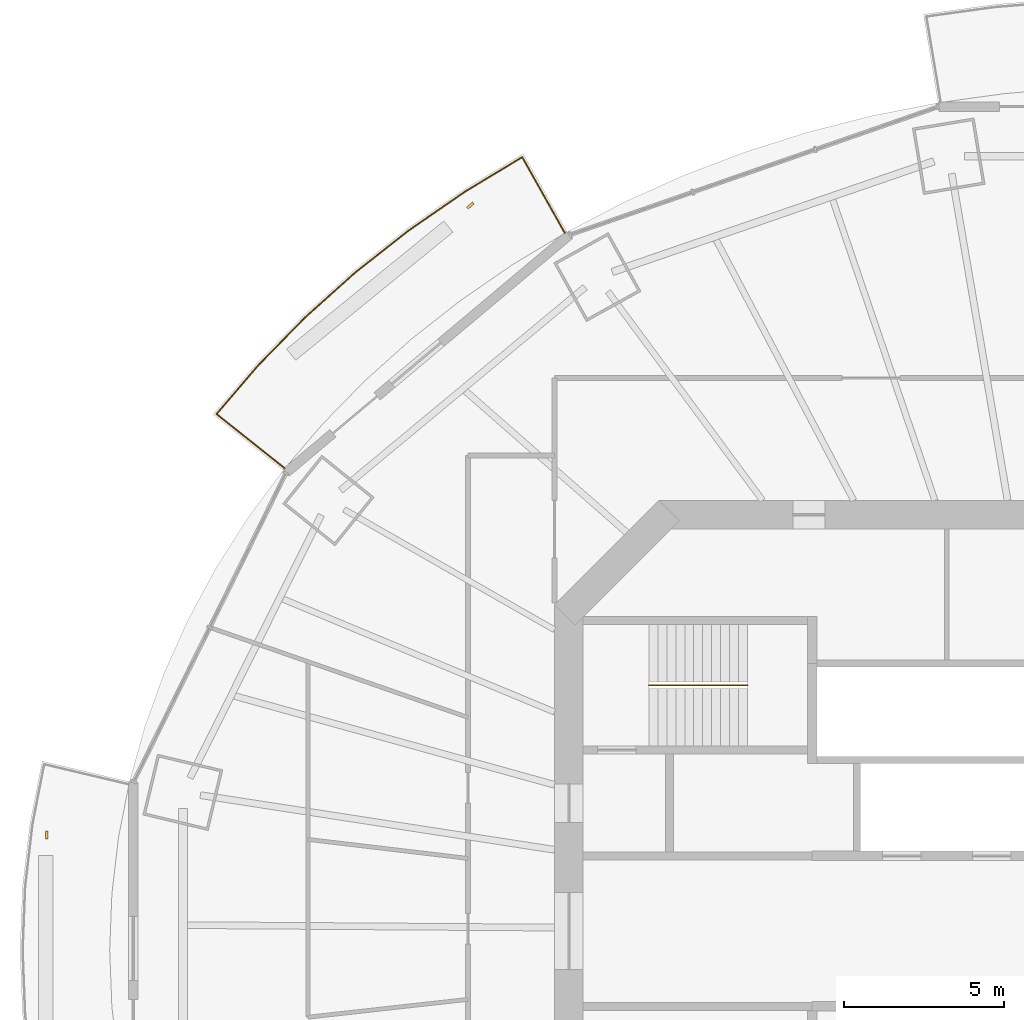
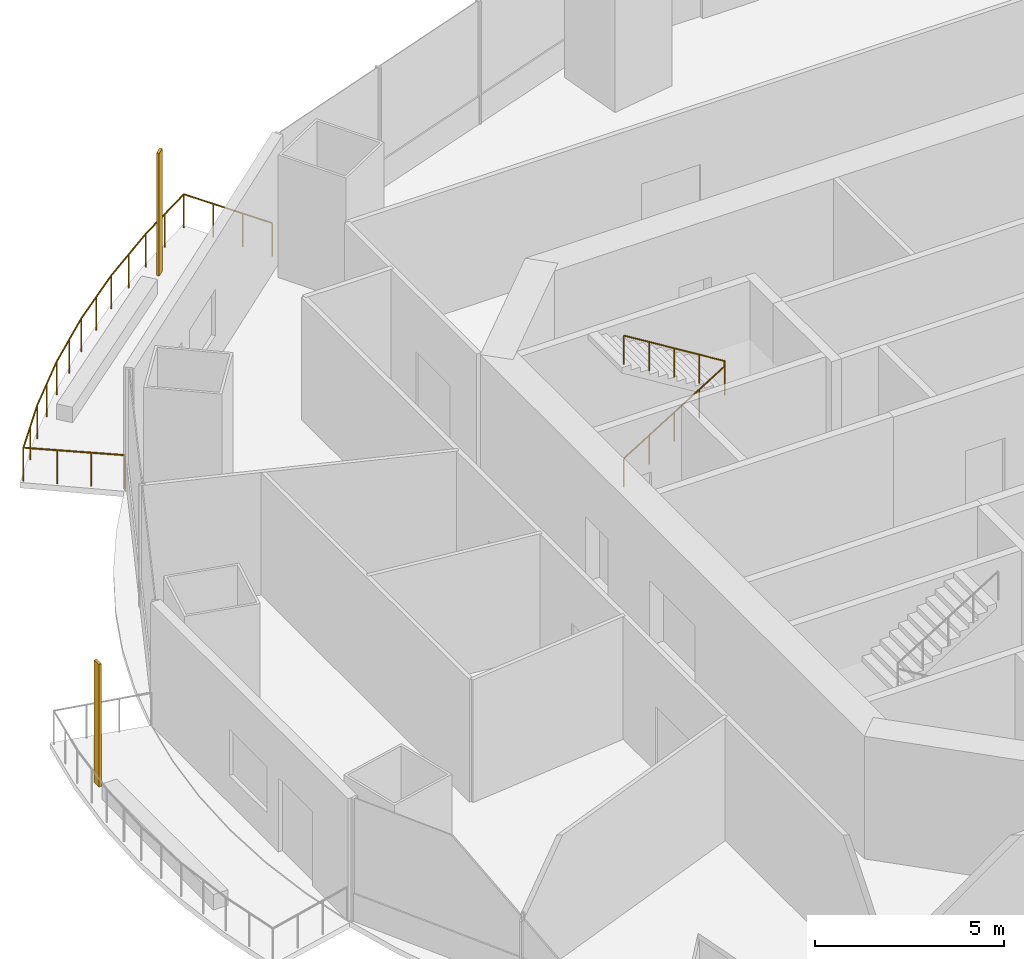
# One storey, part 17 of 20: 2 railings, 2 shading devices.
"""IFC4 building model written with IfcOpenShell, lengths in metres."""

from ifc_helpers import new_model, si_unit, direction, frame, origin, origin_2d, place, context, subcontext, project, spatial, rectangle, circle, extrude, material, material_profile, profile_set, type_object, element, save


model = new_model("IFC4")

# Units and contexts
model_context = context("Model", 3, precision=1e-05, world=origin(), true_north=direction((0.0, 1.0)))
body_context = subcontext(model_context, "Body", "Model", "MODEL_VIEW")
ifc_project = project(units=[si_unit("LENGTHUNIT", "METRE"), si_unit("AREAUNIT", "SQUARE_METRE"), si_unit("VOLUMEUNIT", "CUBIC_METRE"), si_unit("PLANEANGLEUNIT", "RADIAN"), si_unit("MASSUNIT", "GRAM", prefix="KILO")], contexts=[model_context])

# Site, building, storey
site_placement = place(None, origin())
site = spatial("IfcSite", under=ifc_project, at=site_placement, CompositionType="ELEMENT")
building_placement = place(site_placement, origin())
building = spatial("IfcBuilding", under=site, at=building_placement, Name="Marenthal Gate Tower", CompositionType="ELEMENT")
storey_placement = place(building_placement, frame((0.0, 0.0, 194.25)))
storey = spatial("IfcBuildingStorey", under=building, at=storey_placement, Name="L42", CompositionType="ELEMENT", Elevation=194.25)

# Railings
ifc_material_1 = material(Name="Stainless steel", Category="steel")
railing_type_1 = type_object("IfcRailingType", Name="Balcony guard 1100", PredefinedType="GUARDRAIL", material=ifc_material_1)
railing_1_placement = place(storey_placement, frame((-24.869384765625, 14.452392578125, 0.0)))
element("IfcRailing", 1, at=railing_1_placement, inside=storey, type_object=railing_type_1, Name="Balcony guard L42 bay 6", PredefinedType="GUARDRAIL", context=body_context, shape_type="SweptSolid", body=[
    extrude(circle(Radius=0.02392578125, at=origin_2d()), frame((0.0, 0.0, 1.076171875), z_axis=(-0.782654389214, 0.622282483065, -0.01471795893), x_axis=(-0.622349892908, -0.782739171626, 0.0)), (0.0, 0.0, 1.0), 2.720458984375),
    extrude(circle(Radius=0.02392578125, at=origin_2d()), frame((-2.129150390625, 1.69287109375, 1.0361328125), z_axis=(0.650205863605, 0.759758076583, 0.0), x_axis=(-0.759758076583, 0.650205863605, 0.0)), (0.0, 0.0, 1.0), 1.9921875),
    extrude(circle(Radius=0.02392578125, at=origin_2d()), frame((-0.833740234375, 3.20654296875, 1.0361328125), z_axis=(0.69888270328, 0.715236301551, 0.0), x_axis=(-0.715236301551, 0.69888270328, 0.0)), (0.0, 0.0, 1.0), 2.090087890625),
    extrude(circle(Radius=0.02392578125, at=origin_2d()), frame((0.626953125, 4.701416015625, 1.0361328125), z_axis=(0.744623035751, 0.667485231768, 0.0), x_axis=(-0.667485231768, 0.744623035751, 0.0)), (0.0, 0.0, 1.0), 2.10791015625),
    extrude(circle(Radius=0.02392578125, at=origin_2d()), frame((2.196533203125, 6.1083984375, 1.0361328125), z_axis=(0.786051281146, 0.61816129239, 0.0), x_axis=(-0.61816129239, 0.786051281146, 0.0)), (0.0, 0.0, 1.0), 2.1259765625),
    extrude(circle(Radius=0.02392578125, at=origin_2d()), frame((3.86767578125, 7.422607421875, 1.0361328125), z_axis=(0.823383437497, 0.567485431404, 0.0), x_axis=(-0.567485431404, 0.823383437497, 0.0)), (0.0, 0.0, 1.0), 2.143798828125),
    extrude(circle(Radius=0.02392578125, at=origin_2d()), frame((5.6328125, 8.63916015625, 1.0361328125), z_axis=(0.856269071779, 0.516530034668, 0.0), x_axis=(-0.516530034668, 0.856269071779, 0.0)), (0.0, 0.0, 1.0), 2.0810546875),
    extrude(circle(Radius=0.02392578125, at=origin_2d()), frame((7.414794921875, 9.714111328125, 1.0361328125), z_axis=(0.489479334585, -0.871890673908, 0.014718483842), x_axis=(0.871985129735, 0.489532362077, 0.0)), (0.0, 0.0, 1.0), 2.72021484375),
    extrude(circle(Radius=0.02099609375, at=origin_2d()), origin(), (0.0, 0.0, 1.0), 1.052001953125),
    extrude(circle(Radius=0.02099609375, at=origin_2d()), frame((-0.709716796875, 0.564208984375, -0.013427734375)), (0.0, 0.0, 1.0), 1.052001953125),
    extrude(circle(Radius=0.02099609375, at=origin_2d()), frame((-1.41943359375, 1.128662109375, -0.026611328125)), (0.0, 0.0, 1.0), 1.052001953125),
    extrude(circle(Radius=0.02099609375, at=origin_2d()), frame((-2.129150390625, 1.69287109375, -0.0400390625)), (0.0, 0.0, 1.0), 1.052001953125),
    extrude(circle(Radius=0.02099609375, at=origin_2d()), frame((-1.4814453125, 2.44970703125, -0.0400390625)), (0.0, 0.0, 1.0), 1.052001953125),
    extrude(circle(Radius=0.02099609375, at=origin_2d()), frame((-0.833740234375, 3.20654296875, -0.0400390625)), (0.0, 0.0, 1.0), 1.052001953125),
    extrude(circle(Radius=0.02099609375, at=origin_2d()), frame((-0.103515625, 3.9541015625, -0.0400390625)), (0.0, 0.0, 1.0), 1.052001953125),
    extrude(circle(Radius=0.02099609375, at=origin_2d()), frame((0.626953125, 4.701416015625, -0.0400390625)), (0.0, 0.0, 1.0), 1.052001953125),
    extrude(circle(Radius=0.02099609375, at=origin_2d()), frame((1.41162109375, 5.40478515625, -0.0400390625)), (0.0, 0.0, 1.0), 1.052001953125),
    extrude(circle(Radius=0.02099609375, at=origin_2d()), frame((2.196533203125, 6.1083984375, -0.0400390625)), (0.0, 0.0, 1.0), 1.052001953125),
    extrude(circle(Radius=0.02099609375, at=origin_2d()), frame((3.0322265625, 6.765625, -0.0400390625)), (0.0, 0.0, 1.0), 1.052001953125),
    extrude(circle(Radius=0.02099609375, at=origin_2d()), frame((3.86767578125, 7.422607421875, -0.0400390625)), (0.0, 0.0, 1.0), 1.052001953125),
    extrude(circle(Radius=0.02099609375, at=origin_2d()), frame((4.750244140625, 8.03076171875, -0.0400390625)), (0.0, 0.0, 1.0), 1.052001953125),
    extrude(circle(Radius=0.02099609375, at=origin_2d()), frame((5.6328125, 8.63916015625, -0.0400390625)), (0.0, 0.0, 1.0), 1.052001953125),
    extrude(circle(Radius=0.02099609375, at=origin_2d()), frame((6.52392578125, 9.1767578125, -0.0400390625)), (0.0, 0.0, 1.0), 1.052001953125),
    extrude(circle(Radius=0.02099609375, at=origin_2d()), frame((7.414794921875, 9.714111328125, -0.0400390625)), (0.0, 0.0, 1.0), 1.052001953125),
    extrude(circle(Radius=0.02099609375, at=origin_2d()), frame((7.858642578125, 8.923583984375, -0.026611328125)), (0.0, 0.0, 1.0), 1.052001953125),
    extrude(circle(Radius=0.02099609375, at=origin_2d()), frame((8.302490234375, 8.1328125, -0.013427734375)), (0.0, 0.0, 1.0), 1.052001953125),
    extrude(circle(Radius=0.02099609375, at=origin_2d()), frame((8.746337890625, 7.34228515625, 0.0)), (0.0, 0.0, 1.0), 1.052001953125),
])
ifc_material_2 = material(Name="Stainless steel", Category="steel")
railing_type_2 = type_object("IfcRailingType", Name="Stair handrail", PredefinedType="HANDRAIL", material=ifc_material_2)
railing_2_placement = place(storey_placement, frame((-13.5, 7.675048828125, 0.1728515625)))
element("IfcRailing", 2, at=railing_2_placement, inside=storey, type_object=railing_type_2, Name="Handrail ST1", PredefinedType="HANDRAIL", context=body_context, shape_type="SweptSolid", body=[
    extrude(circle(Radius=0.0224609375, at=origin_2d()), frame((0.0, 0.0, 0.927490234375), z_axis=(0.850835241893, 0.0, 0.525432575268), x_axis=(0.0, 1.0, 0.0)), (0.0, 0.0, 1.0), 3.6201171875),
    extrude(circle(Radius=0.0224609375, at=origin_2d()), frame((3.080078125, 0.0, 2.82958984375), z_axis=(0.0, 0.0, 1.0), x_axis=(1.0, 0.0, 0.0)), (0.0, 0.0, 1.0), 0.1728515625),
    extrude(circle(Radius=0.0224609375, at=origin_2d()), frame((3.080078125, 0.0, 3.00244140625), z_axis=(-0.850835241893, 0.0, 0.525432575268), x_axis=(0.0, -1.0, 0.0)), (0.0, 0.0, 1.0), 3.6201171875),
    extrude(circle(Radius=0.02001953125, at=origin_2d()), origin(), (0.0, 0.0, 1.0), 0.905029296875),
    extrude(circle(Radius=0.02001953125, at=origin_2d()), frame((0.77001953125, 0.0, 0.4755859375)), (0.0, 0.0, 1.0), 0.905029296875),
    extrude(circle(Radius=0.02001953125, at=origin_2d()), frame((1.5400390625, 0.0, 0.951171875)), (0.0, 0.0, 1.0), 0.905029296875),
    extrude(circle(Radius=0.02001953125, at=origin_2d()), frame((2.31005859375, 0.0, 1.426513671875)), (0.0, 0.0, 1.0), 0.905029296875),
    extrude(circle(Radius=0.02001953125, at=origin_2d()), frame((3.080078125, 0.0, 1.902099609375)), (0.0, 0.0, 1.0), 0.905029296875),
    extrude(circle(Radius=0.02001953125, at=origin_2d()), frame((3.080078125, 0.0, 2.074951171875)), (0.0, 0.0, 1.0), 0.905029296875),
    extrude(circle(Radius=0.02001953125, at=origin_2d()), frame((2.31005859375, 0.0, 2.550537109375)), (0.0, 0.0, 1.0), 0.905029296875),
    extrude(circle(Radius=0.02001953125, at=origin_2d()), frame((1.5400390625, 0.0, 3.02587890625)), (0.0, 0.0, 1.0), 0.905029296875),
    extrude(circle(Radius=0.02001953125, at=origin_2d()), frame((0.77001953125, 0.0, 3.50146484375)), (0.0, 0.0, 1.0), 0.905029296875),
    extrude(circle(Radius=0.02001953125, at=origin_2d()), frame((0.0, 0.0, 3.97705078125)), (0.0, 0.0, 1.0), 0.905029296875),
])

# Shading devices
ifc_material_3 = material(Name="Terracotta", Category="masonry")
ifc_material_profile = material_profile(ifc_material_3, rectangle(XDim=0.25, YDim=0.080078125, at=origin_2d()), Name="Terracotta baguette 250x80")
ifc_profile_set = profile_set([ifc_material_profile], Name="Terracotta")
shading_device_type = type_object("IfcShadingDeviceType", Name="Terracotta BAGUETTE SCREEN 250x80", PredefinedType="USERDEFINED", material=ifc_profile_set)
for number, where, z_axis, x_axis, name in (
    (3, (-19.075439453125, 22.655029296875, -0.0400390625), (0.0, 0.0, 1.0), (-0.765779593212, -0.64310311352, 0.0), "Terracotta BAGUETTE L42 bay 6L"),
    (4, (-32.302001953125, 3.00927734375, -0.0400390625), (0.0, 0.0, 1.0), (0.0, -1.0, 0.0), "Terracotta BAGUETTE L42 bay 8L"),
):
    element("IfcShadingDevice", number, at=place(storey_placement, frame(where, z_axis=z_axis, x_axis=x_axis)), inside=storey, type_object=shading_device_type, Name=name, ObjectType="BAGUETTE SCREEN", PredefinedType="USERDEFINED", context=body_context, shape_type="SweptSolid", body=[
        extrude(rectangle(XDim=0.25, YDim=0.080078125, at=origin_2d()), origin(), (0.0, 0.0, 1.0), 3.969970703125),
    ])

save(model, "model.ifc")
